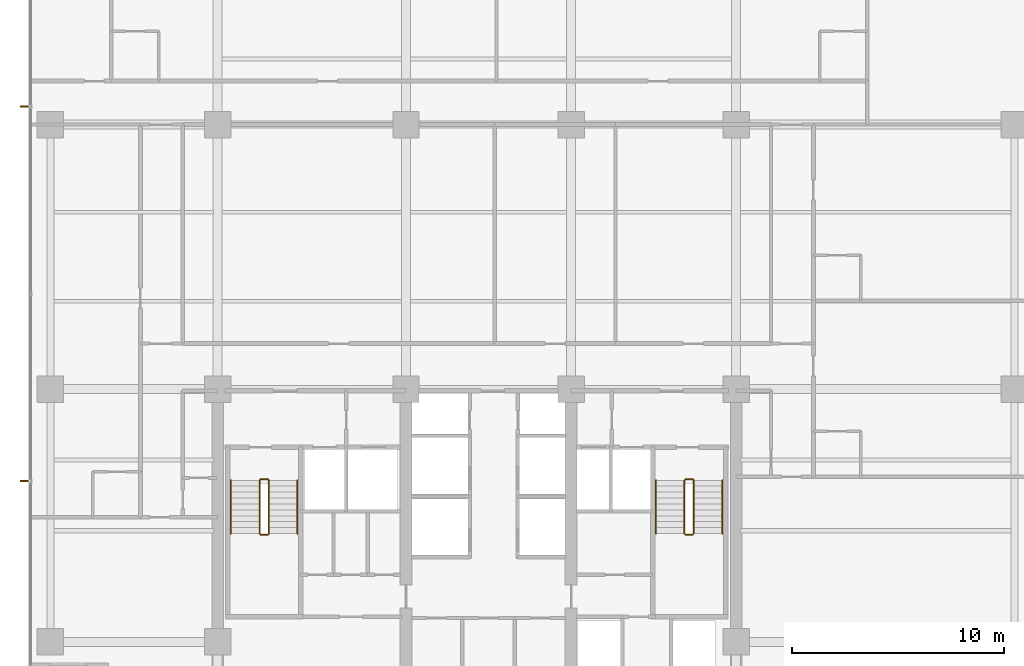
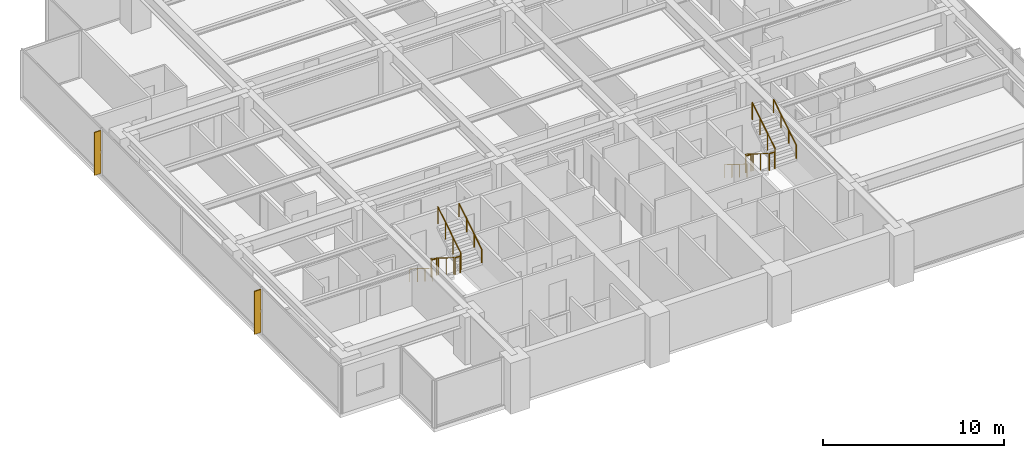
# One storey, part 15 of 16: 12 railings, 2 shading devices.
"""IFC4 building model written with IfcOpenShell, lengths in metres."""

from ifc_helpers import new_model, si_unit, direction, frame, origin, origin_2d, place, context, subcontext, project, spatial, polyline, circle, outline, extrude, material, layer, layer_set, type_object, element, save


model = new_model("IFC4")

# Units and contexts
model_context = context("Model", 3, precision=1e-05, world=origin(), true_north=direction((0.0, 1.0)))
body_context = subcontext(model_context, "Body", "Model", "MODEL_VIEW")
ifc_project = project(units=[si_unit("LENGTHUNIT", "METRE"), si_unit("AREAUNIT", "SQUARE_METRE"), si_unit("VOLUMEUNIT", "CUBIC_METRE"), si_unit("PLANEANGLEUNIT", "RADIAN"), si_unit("MASSUNIT", "GRAM", prefix="KILO")], contexts=[model_context])

# Site, building, storey
site_placement = place(None, origin())
site = spatial("IfcSite", under=ifc_project, at=site_placement, CompositionType="ELEMENT")
building_placement = place(site_placement, origin())
building = spatial("IfcBuilding", under=site, at=building_placement, Name="Qalmaran Belvedere Hotel", CompositionType="ELEMENT")
storey_placement = place(building_placement, frame((0.0, 0.0, 126.699951171875)))
storey = spatial("IfcBuildingStorey", under=building, at=storey_placement, Name="L32", CompositionType="ELEMENT", Elevation=126.699951171875)

# Shading devices
ifc_material_1 = material(Name="Anodised Bronze Aluminium", Category="aluminium")
ifc_layer = layer(ifc_material_1, 0.06494140625, Name="Anodised Bronze Aluminium")
ifc_layer_set = layer_set([ifc_layer], Name="Anodised Bronze Aluminium")
shading_device_type = type_object("IfcShadingDeviceType", Name="FIN-BRNZ-420", PredefinedType="USERDEFINED", material=ifc_layer_set)
shading_device_1_placement = place(storey_placement, frame((0.0, 0.0, 0.16015625)))
element("IfcShadingDevice", 1, at=shading_device_1_placement, inside=storey, type_object=shading_device_type, Name="L32 Bronze Fin 1", ObjectType="FIN", PredefinedType="USERDEFINED", context=body_context, shape_type="SweptSolid", body=[
    extrude(outline(polyline([(11.3798828125, 33.882568359375), (10.9599609375, 33.882568359375), (10.9599609375, 33.8173828125), (11.3798828125, 33.8173828125), (11.3798828125, 33.882568359375)])), origin(), (0.0, 0.0, 1.0), 2.89990234375),
])
shading_device_2_placement = place(storey_placement, frame((0.0, 0.0, 0.16015625)))
element("IfcShadingDevice", 2, at=shading_device_2_placement, inside=storey, type_object=shading_device_type, Name="L32 Bronze Fin 3", ObjectType="FIN", PredefinedType="USERDEFINED", context=body_context, shape_type="SweptSolid", body=[
    extrude(outline(polyline([(11.3798828125, 16.1826171875), (10.9599609375, 16.1826171875), (10.9599609375, 16.117431640625), (11.3798828125, 16.117431640625), (11.3798828125, 16.1826171875)])), origin(), (0.0, 0.0, 1.0), 2.89990234375),
])

# Railings
ifc_material_2 = material(Name="Stainless Steel 1.4401", Category="steel")
railing_type_1 = type_object("IfcRailingType", Name="RLG-STAIR-GUARD-1150", PredefinedType="GUARDRAIL", material=ifc_material_2)
railing_1_placement = place(storey_placement, frame((22.280029296875, 16.18994140625, 0.175048828125)))
element("IfcRailing", 3, at=railing_1_placement, inside=storey, type_object=railing_type_1, Name="L32 ST-1 stair guard 1", PredefinedType="GUARDRAIL", context=body_context, shape_type="SweptSolid", body=[
    extrude(circle(Radius=0.02392578125, at=origin_2d()), frame((0.0, 0.0, 1.1259765625), z_axis=(0.0, -0.848007534815, 0.529984170421), x_axis=(1.0, 0.0, 0.0)), (0.0, 0.0, 1.0), 2.9716796875),
    extrude(circle(Radius=0.02099609375, at=origin_2d()), origin(), (0.0, 0.0, 1.0), 1.101806640625),
    extrude(circle(Radius=0.02099609375, at=origin_2d()), frame((0.0, -0.840087890625, 0.52490234375)), (0.0, 0.0, 1.0), 1.101806640625),
    extrude(circle(Radius=0.02099609375, at=origin_2d()), frame((0.0, -1.679931640625, 1.050048828125)), (0.0, 0.0, 1.0), 1.101806640625),
    extrude(circle(Radius=0.02099609375, at=origin_2d()), frame((0.0, -2.52001953125, 1.574951171875)), (0.0, 0.0, 1.0), 1.101806640625),
])
railing_2_placement = place(storey_placement, frame((22.330078125, 13.6201171875, 1.75)))
element("IfcRailing", 4, at=railing_2_placement, inside=storey, type_object=railing_type_1, Name="L32 ST-1 stair guard 2", PredefinedType="GUARDRAIL", context=body_context, shape_type="SweptSolid", body=[
    extrude(circle(Radius=0.02392578125, at=origin_2d()), frame((0.0, 0.0, 1.1259765625), z_axis=(1.0, 0.0, 0.0), x_axis=(0.0, 1.0, 0.0)), (0.0, 0.0, 1.0), 0.33984375),
    extrude(circle(Radius=0.02099609375, at=origin_2d()), origin(), (0.0, 0.0, 1.0), 1.101806640625),
    extrude(circle(Radius=0.02099609375, at=origin_2d()), frame((0.33984375, 0.0, 0.0)), (0.0, 0.0, 1.0), 1.101806640625),
])
railing_3_placement = place(storey_placement, frame((22.719970703125, 13.669921875, 1.925048828125)))
element("IfcRailing", 5, at=railing_3_placement, inside=storey, type_object=railing_type_1, Name="L32 ST-1 stair guard 3", PredefinedType="GUARDRAIL", context=body_context, shape_type="SweptSolid", body=[
    extrude(circle(Radius=0.02392578125, at=origin_2d()), frame((0.0, 0.0, 1.1259765625), z_axis=(0.0, 0.848007534815, 0.529984170421), x_axis=(-1.0, 0.0, 0.0)), (0.0, 0.0, 1.0), 2.9716796875),
    extrude(circle(Radius=0.02099609375, at=origin_2d()), origin(), (0.0, 0.0, 1.0), 1.101806640625),
    extrude(circle(Radius=0.02099609375, at=origin_2d()), frame((0.0, 0.840087890625, 0.52490234375)), (0.0, 0.0, 1.0), 1.101806640625),
    extrude(circle(Radius=0.02099609375, at=origin_2d()), frame((0.0, 1.679931640625, 1.050048828125)), (0.0, 0.0, 1.0), 1.101806640625),
    extrude(circle(Radius=0.02099609375, at=origin_2d()), frame((0.0, 2.52001953125, 1.574951171875)), (0.0, 0.0, 1.0), 1.101806640625),
])
railing_4_placement = place(storey_placement, frame((22.330078125, 16.239990234375, 0.0)))
element("IfcRailing", 6, at=railing_4_placement, inside=storey, type_object=railing_type_1, Name="L32 ST-1 stair guard 4", PredefinedType="GUARDRAIL", context=body_context, shape_type="SweptSolid", body=[
    extrude(circle(Radius=0.02392578125, at=origin_2d()), frame((0.0, 0.0, 1.1259765625), z_axis=(1.0, 0.0, 0.0), x_axis=(0.0, 1.0, 0.0)), (0.0, 0.0, 1.0), 0.33984375),
    extrude(circle(Radius=0.02099609375, at=origin_2d()), origin(), (0.0, 0.0, 1.0), 1.101806640625),
    extrude(circle(Radius=0.02099609375, at=origin_2d()), frame((0.33984375, 0.0, 0.0)), (0.0, 0.0, 1.0), 1.101806640625),
])
railing_5_placement = place(storey_placement, frame((42.360107421875, 16.18994140625, 0.175048828125)))
element("IfcRailing", 7, at=railing_5_placement, inside=storey, type_object=railing_type_1, Name="L32 ST-2 stair guard 1", PredefinedType="GUARDRAIL", context=body_context, shape_type="SweptSolid", body=[
    extrude(circle(Radius=0.02392578125, at=origin_2d()), frame((0.0, 0.0, 1.1259765625), z_axis=(0.0, -0.848007534815, 0.529984170421), x_axis=(1.0, 0.0, 0.0)), (0.0, 0.0, 1.0), 2.9716796875),
    extrude(circle(Radius=0.02099609375, at=origin_2d()), origin(), (0.0, 0.0, 1.0), 1.101806640625),
    extrude(circle(Radius=0.02099609375, at=origin_2d()), frame((0.0, -0.840087890625, 0.52490234375)), (0.0, 0.0, 1.0), 1.101806640625),
    extrude(circle(Radius=0.02099609375, at=origin_2d()), frame((0.0, -1.679931640625, 1.050048828125)), (0.0, 0.0, 1.0), 1.101806640625),
    extrude(circle(Radius=0.02099609375, at=origin_2d()), frame((0.0, -2.52001953125, 1.574951171875)), (0.0, 0.0, 1.0), 1.101806640625),
])
railing_6_placement = place(storey_placement, frame((42.409912109375, 13.6201171875, 1.75)))
element("IfcRailing", 8, at=railing_6_placement, inside=storey, type_object=railing_type_1, Name="L32 ST-2 stair guard 2", PredefinedType="GUARDRAIL", context=body_context, shape_type="SweptSolid", body=[
    extrude(circle(Radius=0.02392578125, at=origin_2d()), frame((0.0, 0.0, 1.1259765625), z_axis=(1.0, 0.0, 0.0), x_axis=(0.0, 1.0, 0.0)), (0.0, 0.0, 1.0), 0.340087890625),
    extrude(circle(Radius=0.02099609375, at=origin_2d()), origin(), (0.0, 0.0, 1.0), 1.101806640625),
    extrude(circle(Radius=0.02099609375, at=origin_2d()), frame((0.340087890625, 0.0, 0.0)), (0.0, 0.0, 1.0), 1.101806640625),
])
railing_7_placement = place(storey_placement, frame((42.800048828125, 13.669921875, 1.925048828125)))
element("IfcRailing", 9, at=railing_7_placement, inside=storey, type_object=railing_type_1, Name="L32 ST-2 stair guard 3", PredefinedType="GUARDRAIL", context=body_context, shape_type="SweptSolid", body=[
    extrude(circle(Radius=0.02392578125, at=origin_2d()), frame((0.0, 0.0, 1.1259765625), z_axis=(0.0, 0.848007534815, 0.529984170421), x_axis=(-1.0, 0.0, 0.0)), (0.0, 0.0, 1.0), 2.9716796875),
    extrude(circle(Radius=0.02099609375, at=origin_2d()), origin(), (0.0, 0.0, 1.0), 1.101806640625),
    extrude(circle(Radius=0.02099609375, at=origin_2d()), frame((0.0, 0.840087890625, 0.52490234375)), (0.0, 0.0, 1.0), 1.101806640625),
    extrude(circle(Radius=0.02099609375, at=origin_2d()), frame((0.0, 1.679931640625, 1.050048828125)), (0.0, 0.0, 1.0), 1.101806640625),
    extrude(circle(Radius=0.02099609375, at=origin_2d()), frame((0.0, 2.52001953125, 1.574951171875)), (0.0, 0.0, 1.0), 1.101806640625),
])
railing_8_placement = place(storey_placement, frame((42.409912109375, 16.239990234375, 0.0)))
element("IfcRailing", 10, at=railing_8_placement, inside=storey, type_object=railing_type_1, Name="L32 ST-2 stair guard 4", PredefinedType="GUARDRAIL", context=body_context, shape_type="SweptSolid", body=[
    extrude(circle(Radius=0.02392578125, at=origin_2d()), frame((0.0, 0.0, 1.1259765625), z_axis=(1.0, 0.0, 0.0), x_axis=(0.0, 1.0, 0.0)), (0.0, 0.0, 1.0), 0.340087890625),
    extrude(circle(Radius=0.02099609375, at=origin_2d()), origin(), (0.0, 0.0, 1.0), 1.101806640625),
    extrude(circle(Radius=0.02099609375, at=origin_2d()), frame((0.340087890625, 0.0, 0.0)), (0.0, 0.0, 1.0), 1.101806640625),
])
railing_type_2 = type_object("IfcRailingType", Name="RLG-STAIR-HAND-910", PredefinedType="HANDRAIL", material=ifc_material_2)
railing_9_placement = place(storey_placement, frame((20.929931640625, 16.18994140625, 0.175048828125)))
element("IfcRailing", 11, at=railing_9_placement, inside=storey, type_object=railing_type_2, Name="L32 ST-1 stair handrail 1", PredefinedType="HANDRAIL", context=body_context, shape_type="SweptSolid", body=[
    extrude(circle(Radius=0.02392578125, at=origin_2d()), frame((0.0, 0.0, 0.8857421875), z_axis=(0.0, -0.848007534815, 0.529984170421), x_axis=(1.0, 0.0, 0.0)), (0.0, 0.0, 1.0), 2.9716796875),
    extrude(circle(Radius=0.02099609375, at=origin_2d()), origin(), (0.0, 0.0, 1.0), 0.86181640625),
    extrude(circle(Radius=0.02099609375, at=origin_2d()), frame((0.0, -0.840087890625, 0.52490234375)), (0.0, 0.0, 1.0), 0.86181640625),
    extrude(circle(Radius=0.02099609375, at=origin_2d()), frame((0.0, -1.679931640625, 1.050048828125)), (0.0, 0.0, 1.0), 0.86181640625),
    extrude(circle(Radius=0.02099609375, at=origin_2d()), frame((0.0, -2.52001953125, 1.574951171875)), (0.0, 0.0, 1.0), 0.86181640625),
])
railing_10_placement = place(storey_placement, frame((24.070068359375, 13.669921875, 1.925048828125)))
element("IfcRailing", 12, at=railing_10_placement, inside=storey, type_object=railing_type_2, Name="L32 ST-1 stair handrail 2", PredefinedType="HANDRAIL", context=body_context, shape_type="SweptSolid", body=[
    extrude(circle(Radius=0.02392578125, at=origin_2d()), frame((0.0, 0.0, 0.8857421875), z_axis=(0.0, 0.848007534815, 0.529984170421), x_axis=(-1.0, 0.0, 0.0)), (0.0, 0.0, 1.0), 2.9716796875),
    extrude(circle(Radius=0.02099609375, at=origin_2d()), origin(), (0.0, 0.0, 1.0), 0.86181640625),
    extrude(circle(Radius=0.02099609375, at=origin_2d()), frame((0.0, 0.840087890625, 0.52490234375)), (0.0, 0.0, 1.0), 0.86181640625),
    extrude(circle(Radius=0.02099609375, at=origin_2d()), frame((0.0, 1.679931640625, 1.050048828125)), (0.0, 0.0, 1.0), 0.86181640625),
    extrude(circle(Radius=0.02099609375, at=origin_2d()), frame((0.0, 2.52001953125, 1.574951171875)), (0.0, 0.0, 1.0), 0.86181640625),
])
railing_11_placement = place(storey_placement, frame((41.010009765625, 16.18994140625, 0.175048828125)))
element("IfcRailing", 13, at=railing_11_placement, inside=storey, type_object=railing_type_2, Name="L32 ST-2 stair handrail 1", PredefinedType="HANDRAIL", context=body_context, shape_type="SweptSolid", body=[
    extrude(circle(Radius=0.02392578125, at=origin_2d()), frame((0.0, 0.0, 0.8857421875), z_axis=(0.0, -0.848007534815, 0.529984170421), x_axis=(1.0, 0.0, 0.0)), (0.0, 0.0, 1.0), 2.9716796875),
    extrude(circle(Radius=0.02099609375, at=origin_2d()), origin(), (0.0, 0.0, 1.0), 0.86181640625),
    extrude(circle(Radius=0.02099609375, at=origin_2d()), frame((0.0, -0.840087890625, 0.52490234375)), (0.0, 0.0, 1.0), 0.86181640625),
    extrude(circle(Radius=0.02099609375, at=origin_2d()), frame((0.0, -1.679931640625, 1.050048828125)), (0.0, 0.0, 1.0), 0.86181640625),
    extrude(circle(Radius=0.02099609375, at=origin_2d()), frame((0.0, -2.52001953125, 1.574951171875)), (0.0, 0.0, 1.0), 0.86181640625),
])
railing_12_placement = place(storey_placement, frame((44.14990234375, 13.669921875, 1.925048828125)))
element("IfcRailing", 14, at=railing_12_placement, inside=storey, type_object=railing_type_2, Name="L32 ST-2 stair handrail 2", PredefinedType="HANDRAIL", context=body_context, shape_type="SweptSolid", body=[
    extrude(circle(Radius=0.02392578125, at=origin_2d()), frame((0.0, 0.0, 0.8857421875), z_axis=(0.0, 0.848007534815, 0.529984170421), x_axis=(-1.0, 0.0, 0.0)), (0.0, 0.0, 1.0), 2.9716796875),
    extrude(circle(Radius=0.02099609375, at=origin_2d()), origin(), (0.0, 0.0, 1.0), 0.86181640625),
    extrude(circle(Radius=0.02099609375, at=origin_2d()), frame((0.0, 0.840087890625, 0.52490234375)), (0.0, 0.0, 1.0), 0.86181640625),
    extrude(circle(Radius=0.02099609375, at=origin_2d()), frame((0.0, 1.679931640625, 1.050048828125)), (0.0, 0.0, 1.0), 0.86181640625),
    extrude(circle(Radius=0.02099609375, at=origin_2d()), frame((0.0, 2.52001953125, 1.574951171875)), (0.0, 0.0, 1.0), 0.86181640625),
])

save(model, "model.ifc")
